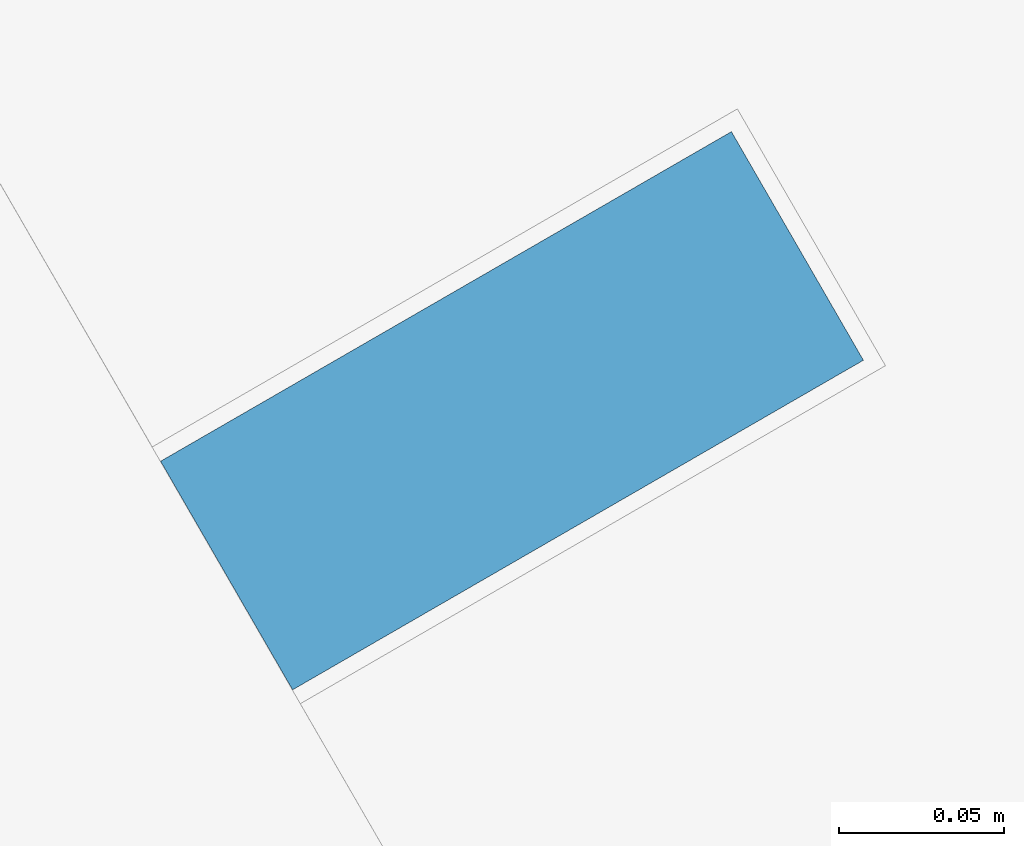
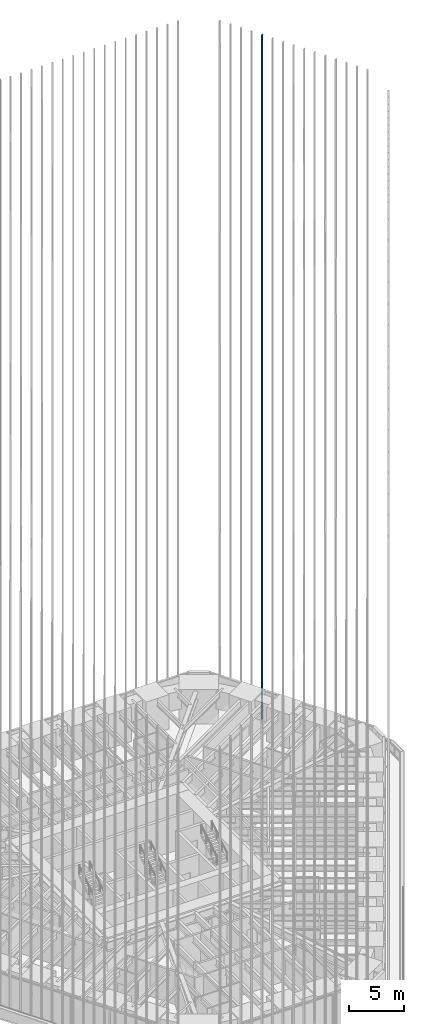
# One storey, part 190 of 238: 1 member, 1 element without a shape of its own.
"""IFC4 building model written with IfcOpenShell, lengths in metres."""

from ifc_helpers import new_model, si_unit, direction, frame, origin, origin_2d, place, context, subcontext, project, spatial, rectangle, extrude, material, material_profile, profile_set, type_object, element, aggregate, save


model = new_model("IFC4")

# Units and contexts
model_context = context("Model", 3, precision=1e-05, world=origin(), true_north=direction((0.0, 1.0)))
body_context = subcontext(model_context, "Body", "Model", "MODEL_VIEW")
ifc_project = project(units=[si_unit("LENGTHUNIT", "METRE"), si_unit("AREAUNIT", "SQUARE_METRE"), si_unit("VOLUMEUNIT", "CUBIC_METRE"), si_unit("PLANEANGLEUNIT", "RADIAN"), si_unit("MASSUNIT", "GRAM", prefix="KILO")], contexts=[model_context])

# Site, building, storey
site_placement = place(None, origin())
site = spatial("IfcSite", under=ifc_project, at=site_placement, CompositionType="ELEMENT")
building_placement = place(site_placement, origin())
building = spatial("IfcBuilding", under=site, at=building_placement, Name="Sandreach Pilgrim Tower", CompositionType="ELEMENT")
storey_placement = place(building_placement, frame((0.0, 0.0, 96.800048828125)))
storey = spatial("IfcBuildingStorey", under=building, at=storey_placement, Name="L23", CompositionType="ELEMENT", Elevation=96.800048828125)

# Curtain wall, member
ifc_material_1 = material(Name="Aluminium framed curtain wall", Category="aluminium")
curtain_wall_type = type_object("IfcCurtainWallType", Name="Hotel tower curtain wall", PredefinedType="NOTDEFINED", material=ifc_material_1)
curtain_wall_placement = place(storey_placement, origin())
curtain_wall = element("IfcCurtainWall", 1, at=curtain_wall_placement, inside=storey, type_object=curtain_wall_type, Name="CW-2 L23 NE", PredefinedType="NOTDEFINED")
ifc_material_2 = material(Name="Extruded terracotta on aluminium core", Category="masonry")
ifc_material_profile = material_profile(ifc_material_2, rectangle(XDim=0.080078125, YDim=0.199951171875, at=origin_2d()), Name="TBE 80X200")
ifc_profile_set = profile_set([ifc_material_profile], Name="Extruded terracotta on aluminium core")
member_type = type_object("IfcMemberType", Name="Terracotta baguette east", PredefinedType="USERDEFINED", material=ifc_profile_set)
member_placement = place(storey_placement, frame((23.103759765625, 17.167724609375, 0.0), z_axis=(0.0, 0.0, 1.0), x_axis=(0.5, -0.866025403784, 0.0)))
member = element("IfcMember", 2, at=member_placement, type_object=member_type, Name="Baguette Z2 NE05", ObjectType="BAGUETTE", PredefinedType="USERDEFINED", context=body_context, shape_type="SweptSolid", body=[
    extrude(rectangle(XDim=0.080078125, YDim=0.199951171875, at=origin_2d()), origin(), (0.0, 0.0, 1.0), 75.83984375),
])
aggregate(curtain_wall, [member])

save(model, "model.ifc")
